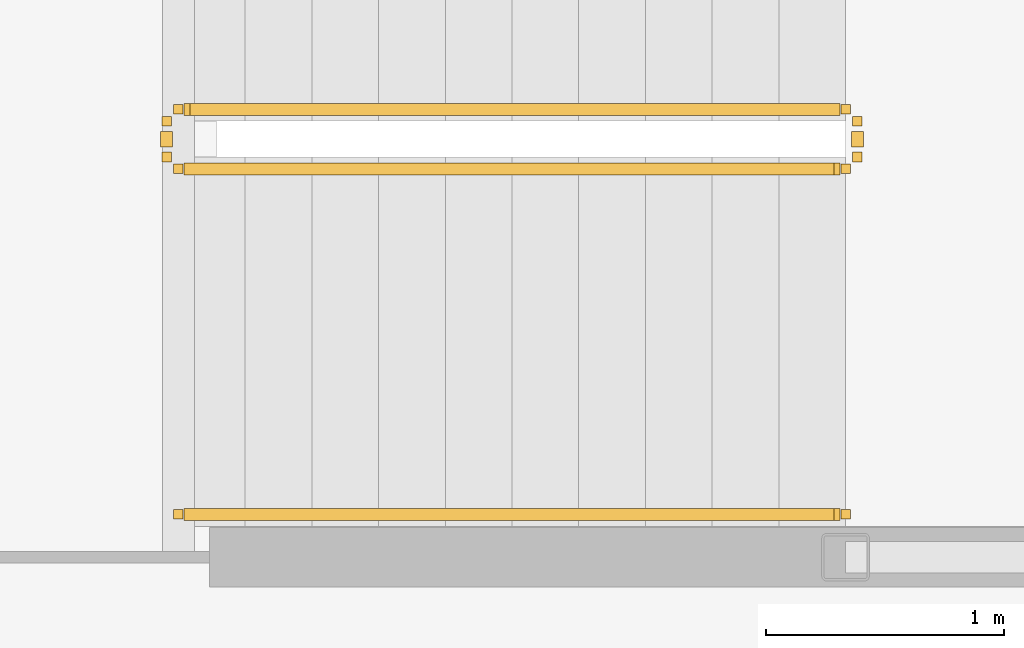
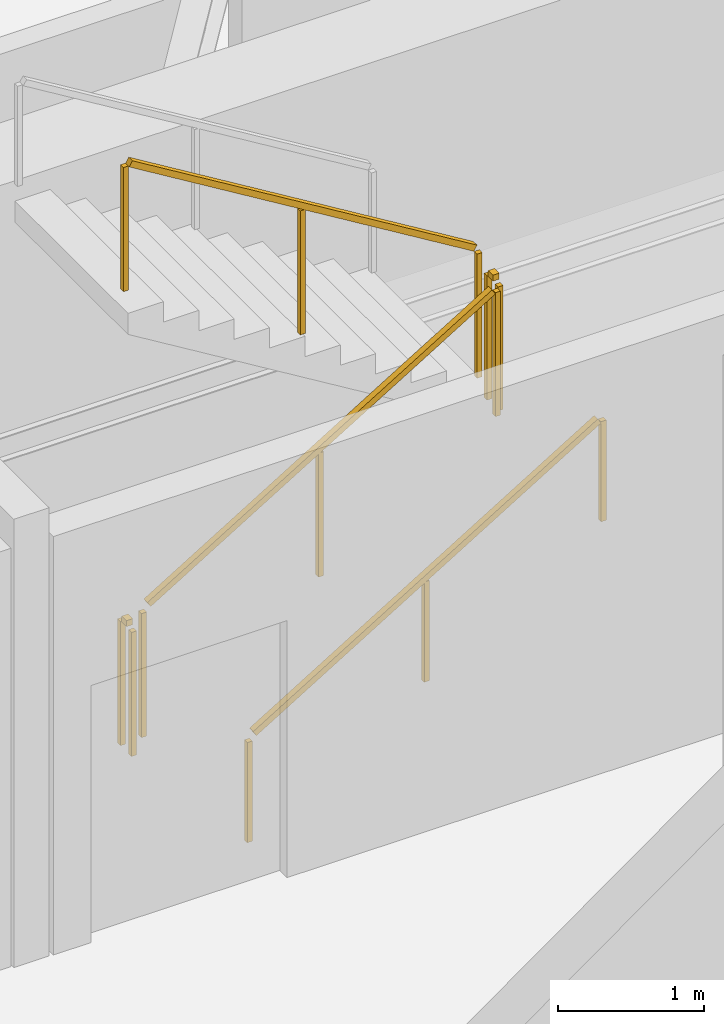
# One storey, part 19 of 20: 5 railings.
"""IFC4 building model written with IfcOpenShell, lengths in metres."""

from ifc_helpers import new_model, si_unit, direction, frame, origin, origin_2d, place, context, subcontext, project, spatial, rectangle, extrude, material, type_object, element, save


model = new_model("IFC4")

# Units and contexts
model_context = context("Model", 3, precision=1e-05, world=origin(), true_north=direction((0.0, 1.0)))
body_context = subcontext(model_context, "Body", "Model", "MODEL_VIEW")
ifc_project = project(units=[si_unit("LENGTHUNIT", "METRE"), si_unit("AREAUNIT", "SQUARE_METRE"), si_unit("VOLUMEUNIT", "CUBIC_METRE"), si_unit("PLANEANGLEUNIT", "RADIAN"), si_unit("MASSUNIT", "GRAM", prefix="KILO")], contexts=[model_context])

# Site, building, storey
site_placement = place(None, origin())
site = spatial("IfcSite", under=ifc_project, at=site_placement, CompositionType="ELEMENT")
building_placement = place(site_placement, origin())
building = spatial("IfcBuilding", under=site, at=building_placement, Name="Kazma Halo Residences", CompositionType="ELEMENT")
storey_placement = place(building_placement, frame((0.0, 0.0, 214.050048828125)))
storey = spatial("IfcBuildingStorey", under=building, at=storey_placement, Name="L54", CompositionType="ELEMENT", Elevation=214.050048828125)

# Railings
ifc_material_1 = material(Name="Painted Steel S355", Category="steel")
railing_type_1 = type_object("IfcRailingType", Name="RLG-STAIR-GRD-1100", PredefinedType="GUARDRAIL", material=ifc_material_1)
railing_1_placement = place(storey_placement, frame((53.199951171875, 48.25, 0.17041015625)))
element("IfcRailing", 1, at=railing_1_placement, inside=storey, type_object=railing_type_1, Name="L54 ST-02 stair guard 1", PredefinedType="GUARDRAIL", context=body_context, shape_type="SweptSolid", body=[
    extrude(rectangle(XDim=0.050048828125, YDim=0.050048828125, at=origin_2d()), frame((0.036376953125, 0.0, 1.09716796875), z_axis=(0.854169791009, 0.0, 0.51999420009), x_axis=(0.0, 1.0, 0.0)), (0.0, 0.0, 1.0), 3.193115234375),
    extrude(rectangle(XDim=0.0400390625, YDim=0.0400390625, at=origin_2d()), origin(), (0.0, 0.0, 1.0), 1.0380859375),
    extrude(rectangle(XDim=0.0400390625, YDim=0.0400390625, at=origin_2d()), frame((1.39990234375, 0.0, 0.852294921875)), (0.0, 0.0, 1.0), 1.0380859375),
    extrude(rectangle(XDim=0.0400390625, YDim=0.0400390625, at=origin_2d()), frame((2.800048828125, 0.0, 1.70458984375)), (0.0, 0.0, 1.0), 1.0380859375),
])
railing_2_placement = place(storey_placement, frame((56.050048828125, 48.300048828125, 1.875)))
element("IfcRailing", 2, at=railing_2_placement, inside=storey, type_object=railing_type_1, Name="L54 ST-02 stair guard 2", PredefinedType="GUARDRAIL", context=body_context, shape_type="SweptSolid", body=[
    extrude(rectangle(XDim=0.050048828125, YDim=0.050048828125, at=origin_2d()), frame((0.0, 0.04248046875, 1.0751953125), z_axis=(0.0, 1.0, 0.0), x_axis=(-1.0, 0.0, 0.0)), (0.0, 0.0, 1.0), 0.06494140625),
    extrude(rectangle(XDim=0.0400390625, YDim=0.0400390625, at=origin_2d()), origin(), (0.0, 0.0, 1.0), 1.0380859375),
    extrude(rectangle(XDim=0.0400390625, YDim=0.0400390625, at=origin_2d()), frame((0.0, 0.14990234375, 0.0)), (0.0, 0.0, 1.0), 1.0380859375),
])
railing_3_placement = place(storey_placement, frame((56.0, 48.5, 2.04541015625)))
element("IfcRailing", 3, at=railing_3_placement, inside=storey, type_object=railing_type_1, Name="L54 ST-02 stair guard 3", PredefinedType="GUARDRAIL", context=body_context, shape_type="SweptSolid", body=[
    extrude(rectangle(XDim=0.050048828125, YDim=0.050048828125, at=origin_2d()), frame((-0.036376953125, 0.0, 1.09716796875), z_axis=(-0.854169791009, 0.0, 0.51999420009), x_axis=(0.0, -1.0, 0.0)), (0.0, 0.0, 1.0), 3.193115234375),
    extrude(rectangle(XDim=0.0400390625, YDim=0.0400390625, at=origin_2d()), origin(), (0.0, 0.0, 1.0), 1.0380859375),
    extrude(rectangle(XDim=0.0400390625, YDim=0.0400390625, at=origin_2d()), frame((-1.39990234375, 0.0, 0.852294921875)), (0.0, 0.0, 1.0), 1.0380859375),
    extrude(rectangle(XDim=0.0400390625, YDim=0.0400390625, at=origin_2d()), frame((-2.800048828125, 0.0, 1.70458984375)), (0.0, 0.0, 1.0), 1.0380859375),
])
railing_4_placement = place(storey_placement, frame((53.14990234375, 48.300048828125, 0.0)))
element("IfcRailing", 4, at=railing_4_placement, inside=storey, type_object=railing_type_1, Name="L54 ST-02 stair guard 4", PredefinedType="GUARDRAIL", context=body_context, shape_type="SweptSolid", body=[
    extrude(rectangle(XDim=0.050048828125, YDim=0.050048828125, at=origin_2d()), frame((0.0, 0.04248046875, 1.0751953125), z_axis=(0.0, 1.0, 0.0), x_axis=(-1.0, 0.0, 0.0)), (0.0, 0.0, 1.0), 0.06494140625),
    extrude(rectangle(XDim=0.0400390625, YDim=0.0400390625, at=origin_2d()), origin(), (0.0, 0.0, 1.0), 1.0380859375),
    extrude(rectangle(XDim=0.0400390625, YDim=0.0400390625, at=origin_2d()), frame((0.0, 0.14990234375, 0.0)), (0.0, 0.0, 1.0), 1.0380859375),
])
ifc_material_2 = material(Name="Brushed Stainless Steel", Category="steel")
railing_type_2 = type_object("IfcRailingType", Name="RLG-STAIR-HND-900", PredefinedType="HANDRAIL", material=ifc_material_2)
railing_5_placement = place(storey_placement, frame((53.199951171875, 46.800048828125, 0.17041015625)))
element("IfcRailing", 5, at=railing_5_placement, inside=storey, type_object=railing_type_2, Name="L54 ST-02 stair handrail 1", PredefinedType="HANDRAIL", context=body_context, shape_type="SweptSolid", body=[
    extrude(rectangle(XDim=0.050048828125, YDim=0.050048828125, at=origin_2d()), frame((0.036376953125, 0.0, 0.89697265625), z_axis=(0.854169791009, 0.0, 0.51999420009), x_axis=(0.0, 1.0, 0.0)), (0.0, 0.0, 1.0), 3.193115234375),
    extrude(rectangle(XDim=0.0400390625, YDim=0.0400390625, at=origin_2d()), origin(), (0.0, 0.0, 1.0), 0.837890625),
    extrude(rectangle(XDim=0.0400390625, YDim=0.0400390625, at=origin_2d()), frame((1.39990234375, 0.0, 0.852294921875)), (0.0, 0.0, 1.0), 0.837890625),
    extrude(rectangle(XDim=0.0400390625, YDim=0.0400390625, at=origin_2d()), frame((2.800048828125, 0.0, 1.70458984375)), (0.0, 0.0, 1.0), 0.837890625),
])

save(model, "model.ifc")
